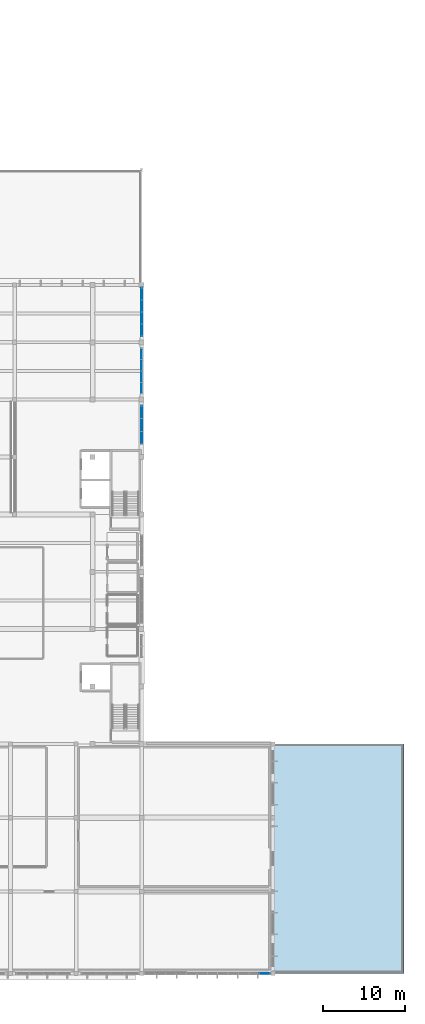
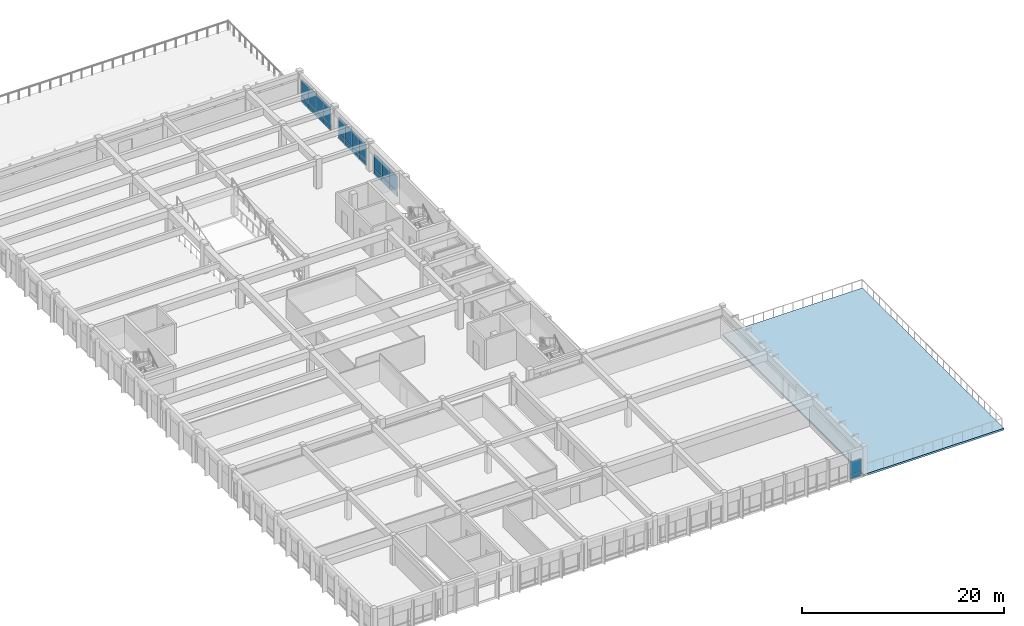
# One storey, part 20 of 33: 24 plates, 1 slab, 4 elements without a shape of their own.
"""IFC4 building model written with IfcOpenShell, lengths in metres."""

from ifc_helpers import new_model, si_unit, direction, frame, origin, origin_2d, place, context, subcontext, project, spatial, polyline, rectangle, outline, extrude, material, layer, layer_set, type_object, element, aggregate, save


model = new_model("IFC4")

# Units and contexts
model_context = context("Model", 3, precision=1e-05, world=origin(), true_north=direction((0.0, 1.0)))
body_context = subcontext(model_context, "Body", "Model", "MODEL_VIEW")
ifc_project = project(units=[si_unit("LENGTHUNIT", "METRE"), si_unit("AREAUNIT", "SQUARE_METRE"), si_unit("VOLUMEUNIT", "CUBIC_METRE"), si_unit("PLANEANGLEUNIT", "RADIAN"), si_unit("MASSUNIT", "GRAM", prefix="KILO")], contexts=[model_context])

# Site, building, storey
site_placement = place(None, origin())
site = spatial("IfcSite", under=ifc_project, at=site_placement, CompositionType="ELEMENT")
building_placement = place(site_placement, origin())
building = spatial("IfcBuilding", under=site, at=building_placement, Name="Larkveld Mobility Hub", CompositionType="ELEMENT")
storey_placement = place(building_placement, frame((0.0, 0.0, 15.60009765625)))
storey = spatial("IfcBuildingStorey", under=building, at=storey_placement, Name="L04", CompositionType="ELEMENT", Elevation=15.60009765625)

# Curtain wall, plates
ifc_material_1 = material(Name="Anodised aluminium 6063-T6", Category="aluminium")
curtain_wall_type_1 = type_object("IfcCurtainWallType", Name="CW-SYS-04", PredefinedType="NOTDEFINED", material=ifc_material_1)
curtain_wall_1_placement = place(storey_placement, origin())
curtain_wall_1 = element("IfcCurtainWall", 1, at=curtain_wall_1_placement, inside=storey, type_object=curtain_wall_type_1, Name="Upper Mobility and Sports East Glazing L04 CW-160", PredefinedType="NOTDEFINED")
ifc_material_2 = material(Name="Low-E laminated solar-control double glazing", Category="glass")
ifc_layer_1 = layer(ifc_material_2, 0.028076171875, Name="Low-E laminated solar-control double glazing", Category="glass")
ifc_layer_set_1 = layer_set([ifc_layer_1], Name="Low-E laminated solar-control double glazing")
plate_type_1 = type_object("IfcPlateType", Name="CW-PNL-GL01", PredefinedType="CURTAIN_PANEL", material=ifc_layer_set_1)
plate_1_placement = place(storey_placement, frame((152.0, 78.489013671875, 0.689453125), z_axis=(0.0, 0.0, 1.0), x_axis=(0.0, 1.0, 0.0)))
plate_1 = element("IfcPlate", 2, at=plate_1_placement, type_object=plate_type_1, Name="CW04 panel 1", PredefinedType="CURTAIN_PANEL", context=body_context, shape_type="SweptSolid", body=[
    extrude(rectangle(XDim=1.447998046875, YDim=0.028076171875, at=origin_2d()), origin(), (0.0, 0.0, 1.0), 2.0390625),
])
plate_2_placement = place(storey_placement, frame((152.0, 79.95703125, 0.689453125), z_axis=(0.0, 0.0, 1.0), x_axis=(0.0, 1.0, 0.0)))
plate_2 = element("IfcPlate", 3, at=plate_2_placement, type_object=plate_type_1, Name="CW04 panel 2", PredefinedType="CURTAIN_PANEL", context=body_context, shape_type="SweptSolid", body=[
    extrude(rectangle(XDim=1.468017578125, YDim=0.028076171875, at=origin_2d()), origin(), (0.0, 0.0, 1.0), 2.0390625),
])
plate_3_placement = place(storey_placement, frame((152.0, 81.43310546875, 0.689453125), z_axis=(0.0, 0.0, 1.0), x_axis=(0.0, 1.0, 0.0)))
plate_3 = element("IfcPlate", 4, at=plate_3_placement, type_object=plate_type_1, Name="CW04 panel 3", PredefinedType="CURTAIN_PANEL", context=body_context, shape_type="SweptSolid", body=[
    extrude(rectangle(XDim=1.468017578125, YDim=0.028076171875, at=origin_2d()), origin(), (0.0, 0.0, 1.0), 2.0390625),
])
plate_4_placement = place(storey_placement, frame((152.0, 82.90087890625, 0.689453125), z_axis=(0.0, 0.0, 1.0), x_axis=(0.0, 1.0, 0.0)))
plate_4 = element("IfcPlate", 5, at=plate_4_placement, type_object=plate_type_1, Name="CW04 panel 4", PredefinedType="CURTAIN_PANEL", context=body_context, shape_type="SweptSolid", body=[
    extrude(rectangle(XDim=1.447998046875, YDim=0.028076171875, at=origin_2d()), origin(), (0.0, 0.0, 1.0), 2.0390625),
])

# Curtain wall, plate
curtain_wall_type_2 = type_object("IfcCurtainWallType", Name="CW-SYS-11", PredefinedType="NOTDEFINED", material=ifc_material_1)
curtain_wall_2_placement = place(storey_placement, origin())
curtain_wall_2 = element("IfcCurtainWall", 6, at=curtain_wall_2_placement, inside=storey, type_object=curtain_wall_type_2, Name="Service Wing South Glazing L04 CW-131", PredefinedType="NOTDEFINED")
ifc_material_3 = material(Name="Acoustic solar-control laminated double glazing", Category="glass")
ifc_layer_2 = layer(ifc_material_3, 0.031982421875, Name="Acoustic solar-control laminated double glazing", Category="glass")
ifc_layer_set_2 = layer_set([ifc_layer_2], Name="Acoustic solar-control laminated double glazing")
plate_type_2 = type_object("IfcPlateType", Name="CW-PNL-GL02", PredefinedType="CURTAIN_PANEL", material=ifc_layer_set_2)
plate_5_placement = place(storey_placement, frame((167.001953125, 0.0, 0.5263671875), z_axis=(0.0, 0.0, 1.0), x_axis=(1.0, 0.0, 0.0)))
plate_5 = element("IfcPlate", 7, at=plate_5_placement, type_object=plate_type_2, Name="CW11 panel 4", PredefinedType="CURTAIN_PANEL", context=body_context, shape_type="SweptSolid", body=[
    extrude(rectangle(XDim=1.2451171875, YDim=0.031982421875, at=origin_2d()), origin(), (0.0, 0.0, 1.0), 1.551025390625),
])

# Curtain wall, plates
curtain_wall_type_3 = type_object("IfcCurtainWallType", Name="CW-SYS-02", PredefinedType="NOTDEFINED", material=ifc_material_1)
curtain_wall_3_placement = place(storey_placement, origin())
curtain_wall_3 = element("IfcCurtainWall", 8, at=curtain_wall_3_placement, inside=storey, type_object=curtain_wall_type_3, Name="Upper Mobility and Sports East Glazing L04 CW-158", PredefinedType="NOTDEFINED")
plate_6_placement = place(storey_placement, frame((152.0, 65.3701171875, 0.614013671875), z_axis=(0.0, 0.0, 1.0), x_axis=(0.0, 1.0, 0.0)))
plate_6 = element("IfcPlate", 9, at=plate_6_placement, type_object=plate_type_2, Name="CW02 panel 1", PredefinedType="CURTAIN_PANEL", context=body_context, shape_type="SweptSolid", body=[
    extrude(rectangle(XDim=1.530029296875, YDim=0.031982421875, at=origin_2d()), origin(), (0.0, 0.0, 1.0), 1.81396484375),
])
plate_7_placement = place(storey_placement, frame((152.0, 66.919921875, 0.614013671875), z_axis=(0.0, 0.0, 1.0), x_axis=(0.0, 1.0, 0.0)))
plate_7 = element("IfcPlate", 10, at=plate_7_placement, type_object=plate_type_2, Name="CW02 panel 2", PredefinedType="CURTAIN_PANEL", context=body_context, shape_type="SweptSolid", body=[
    extrude(rectangle(XDim=1.550048828125, YDim=0.031982421875, at=origin_2d()), origin(), (0.0, 0.0, 1.0), 1.81396484375),
])
plate_8_placement = place(storey_placement, frame((152.0, 68.469970703125, 0.614013671875), z_axis=(0.0, 0.0, 1.0), x_axis=(0.0, 1.0, 0.0)))
plate_8 = element("IfcPlate", 11, at=plate_8_placement, type_object=plate_type_2, Name="CW02 panel 3", PredefinedType="CURTAIN_PANEL", context=body_context, shape_type="SweptSolid", body=[
    extrude(rectangle(XDim=1.530029296875, YDim=0.031982421875, at=origin_2d()), origin(), (0.0, 0.0, 1.0), 1.81396484375),
])

curtain_wall_type_4 = type_object("IfcCurtainWallType", Name="CW-SYS-03", PredefinedType="NOTDEFINED", material=ifc_material_1)
curtain_wall_4_placement = place(storey_placement, origin())
curtain_wall_4 = element("IfcCurtainWall", 12, at=curtain_wall_4_placement, inside=storey, type_object=curtain_wall_type_4, Name="Upper Mobility and Sports East Glazing L04 CW-159", PredefinedType="NOTDEFINED")
ifc_material_4 = material(Name="Tinted safety double glazing", Category="glass")
ifc_layer_3 = layer(ifc_material_4, 0.035888671875, Name="Tinted safety double glazing", Category="glass")
ifc_layer_set_3 = layer_set([ifc_layer_3], Name="Tinted safety double glazing")
plate_type_3 = type_object("IfcPlateType", Name="CW-PNL-GL03", PredefinedType="CURTAIN_PANEL", material=ifc_layer_set_3)
plate_9_placement = place(storey_placement, frame((152.0, 71.43994140625, 0.65185546875), z_axis=(0.0, 0.0, 1.0), x_axis=(0.0, 1.0, 0.0)))
plate_9 = element("IfcPlate", 13, at=plate_9_placement, type_object=plate_type_3, Name="CW03 panel 1", PredefinedType="CURTAIN_PANEL", context=body_context, shape_type="SweptSolid", body=[
    extrude(rectangle(XDim=1.35009765625, YDim=0.035888671875, at=origin_2d()), origin(), (0.0, 0.0, 1.0), 1.926025390625),
])
plate_10_placement = place(storey_placement, frame((152.0, 72.81005859375, 0.65185546875), z_axis=(0.0, 0.0, 1.0), x_axis=(0.0, 1.0, 0.0)))
plate_10 = element("IfcPlate", 14, at=plate_10_placement, type_object=plate_type_3, Name="CW03 panel 2", PredefinedType="CURTAIN_PANEL", context=body_context, shape_type="SweptSolid", body=[
    extrude(rectangle(XDim=1.3701171875, YDim=0.035888671875, at=origin_2d()), origin(), (0.0, 0.0, 1.0), 1.926025390625),
])
plate_11_placement = place(storey_placement, frame((152.0, 74.18994140625, 0.65185546875), z_axis=(0.0, 0.0, 1.0), x_axis=(0.0, 1.0, 0.0)))
plate_11 = element("IfcPlate", 15, at=plate_11_placement, type_object=plate_type_3, Name="CW03 panel 3", PredefinedType="CURTAIN_PANEL", context=body_context, shape_type="SweptSolid", body=[
    extrude(rectangle(XDim=1.3701171875, YDim=0.035888671875, at=origin_2d()), origin(), (0.0, 0.0, 1.0), 1.926025390625),
])
plate_12_placement = place(storey_placement, frame((152.0, 75.56005859375, 0.65185546875), z_axis=(0.0, 0.0, 1.0), x_axis=(0.0, 1.0, 0.0)))
plate_12 = element("IfcPlate", 16, at=plate_12_placement, type_object=plate_type_3, Name="CW03 panel 4", PredefinedType="CURTAIN_PANEL", context=body_context, shape_type="SweptSolid", body=[
    extrude(rectangle(XDim=1.35009765625, YDim=0.035888671875, at=origin_2d()), origin(), (0.0, 0.0, 1.0), 1.926025390625),
])

# Plate
ifc_material_5 = material(Name="Insulated fluoropolymer aluminium spandrel", Category="aluminium")
ifc_layer_4 = layer(ifc_material_5, 0.06494140625, Name="Insulated fluoropolymer aluminium spandrel", Category="aluminium")
ifc_layer_set_4 = layer_set([ifc_layer_4], Name="Insulated fluoropolymer aluminium spandrel")
plate_type_4 = type_object("IfcPlateType", Name="CW-PNL-SP01", PredefinedType="CURTAIN_PANEL", material=ifc_layer_set_4)
plate_13_placement = place(storey_placement, frame((167.001953125, 0.0, -0.00048828125), z_axis=(0.0, 0.0, 1.0), x_axis=(1.0, 0.0, 0.0)))
plate_13 = element("IfcPlate", 17, at=plate_13_placement, type_object=plate_type_4, Name="CW11 spandrel 4", PredefinedType="CURTAIN_PANEL", context=body_context, shape_type="SweptSolid", body=[
    extrude(rectangle(XDim=1.2451171875, YDim=0.06494140625, at=origin_2d()), origin(), (0.0, 0.0, 1.0), 0.514892578125),
])

aggregate(curtain_wall_2, [plate_13, plate_5])

plate_14_placement = place(storey_placement, frame((152.0, 71.43994140625, 0.0), z_axis=(0.0, 0.0, 1.0), x_axis=(0.0, 1.0, 0.0)))
plate_14 = element("IfcPlate", 18, at=plate_14_placement, type_object=plate_type_4, Name="CW03 spandrel 1", PredefinedType="CURTAIN_PANEL", context=body_context, shape_type="SweptSolid", body=[
    extrude(rectangle(XDim=1.35009765625, YDim=0.06494140625, at=origin_2d()), origin(), (0.0, 0.0, 1.0), 0.639892578125),
])

plate_15_placement = place(storey_placement, frame((152.0, 72.81005859375, 0.0), z_axis=(0.0, 0.0, 1.0), x_axis=(0.0, 1.0, 0.0)))
plate_15 = element("IfcPlate", 19, at=plate_15_placement, type_object=plate_type_4, Name="CW03 spandrel 2", PredefinedType="CURTAIN_PANEL", context=body_context, shape_type="SweptSolid", body=[
    extrude(rectangle(XDim=1.3701171875, YDim=0.06494140625, at=origin_2d()), origin(), (0.0, 0.0, 1.0), 0.639892578125),
])

plate_16_placement = place(storey_placement, frame((152.0, 74.18994140625, 0.0), z_axis=(0.0, 0.0, 1.0), x_axis=(0.0, 1.0, 0.0)))
plate_16 = element("IfcPlate", 20, at=plate_16_placement, type_object=plate_type_4, Name="CW03 spandrel 3", PredefinedType="CURTAIN_PANEL", context=body_context, shape_type="SweptSolid", body=[
    extrude(rectangle(XDim=1.3701171875, YDim=0.06494140625, at=origin_2d()), origin(), (0.0, 0.0, 1.0), 0.639892578125),
])

plate_17_placement = place(storey_placement, frame((152.0, 75.56005859375, 0.0), z_axis=(0.0, 0.0, 1.0), x_axis=(0.0, 1.0, 0.0)))
plate_17 = element("IfcPlate", 21, at=plate_17_placement, type_object=plate_type_4, Name="CW03 spandrel 4", PredefinedType="CURTAIN_PANEL", context=body_context, shape_type="SweptSolid", body=[
    extrude(rectangle(XDim=1.35009765625, YDim=0.06494140625, at=origin_2d()), origin(), (0.0, 0.0, 1.0), 0.639892578125),
])

aggregate(curtain_wall_4, [plate_14, plate_9, plate_15, plate_10, plate_16, plate_11, plate_17, plate_12])

ifc_material_6 = material(Name="Insulated terracotta-toned aluminium spandrel", Category="masonry")
ifc_layer_5 = layer(ifc_material_6, 0.080078125, Name="Insulated terracotta-toned aluminium spandrel", Category="masonry")
ifc_layer_set_5 = layer_set([ifc_layer_5], Name="Insulated terracotta-toned aluminium spandrel")
plate_type_5 = type_object("IfcPlateType", Name="CW-PNL-SP02", PredefinedType="CURTAIN_PANEL", material=ifc_layer_set_5)
plate_18_placement = place(storey_placement, frame((152.0, 65.3701171875, -0.000732421875), z_axis=(0.0, 0.0, 1.0), x_axis=(0.0, 1.0, 0.0)))
plate_18 = element("IfcPlate", 22, at=plate_18_placement, type_object=plate_type_5, Name="CW02 spandrel 1", PredefinedType="CURTAIN_PANEL", context=body_context, shape_type="SweptSolid", body=[
    extrude(rectangle(XDim=1.530029296875, YDim=0.080078125, at=origin_2d()), origin(), (0.0, 0.0, 1.0), 0.60302734375),
])

plate_19_placement = place(storey_placement, frame((152.0, 66.919921875, -0.000732421875), z_axis=(0.0, 0.0, 1.0), x_axis=(0.0, 1.0, 0.0)))
plate_19 = element("IfcPlate", 23, at=plate_19_placement, type_object=plate_type_5, Name="CW02 spandrel 2", PredefinedType="CURTAIN_PANEL", context=body_context, shape_type="SweptSolid", body=[
    extrude(rectangle(XDim=1.550048828125, YDim=0.080078125, at=origin_2d()), origin(), (0.0, 0.0, 1.0), 0.60302734375),
])

plate_20_placement = place(storey_placement, frame((152.0, 68.469970703125, -0.000732421875), z_axis=(0.0, 0.0, 1.0), x_axis=(0.0, 1.0, 0.0)))
plate_20 = element("IfcPlate", 24, at=plate_20_placement, type_object=plate_type_5, Name="CW02 spandrel 3", PredefinedType="CURTAIN_PANEL", context=body_context, shape_type="SweptSolid", body=[
    extrude(rectangle(XDim=1.530029296875, YDim=0.080078125, at=origin_2d()), origin(), (0.0, 0.0, 1.0), 0.60302734375),
])

aggregate(curtain_wall_3, [plate_18, plate_6, plate_19, plate_7, plate_20, plate_8])

plate_21_placement = place(storey_placement, frame((152.0, 78.489013671875, 0.00048828125), z_axis=(0.0, 0.0, 1.0), x_axis=(0.0, 1.0, 0.0)))
plate_21 = element("IfcPlate", 25, at=plate_21_placement, type_object=plate_type_5, Name="CW04 spandrel 1", PredefinedType="CURTAIN_PANEL", context=body_context, shape_type="SweptSolid", body=[
    extrude(rectangle(XDim=1.447998046875, YDim=0.080078125, at=origin_2d()), origin(), (0.0, 0.0, 1.0), 0.677001953125),
])

plate_22_placement = place(storey_placement, frame((152.0, 79.95703125, 0.00048828125), z_axis=(0.0, 0.0, 1.0), x_axis=(0.0, 1.0, 0.0)))
plate_22 = element("IfcPlate", 26, at=plate_22_placement, type_object=plate_type_5, Name="CW04 spandrel 2", PredefinedType="CURTAIN_PANEL", context=body_context, shape_type="SweptSolid", body=[
    extrude(rectangle(XDim=1.468017578125, YDim=0.080078125, at=origin_2d()), origin(), (0.0, 0.0, 1.0), 0.677001953125),
])

plate_23_placement = place(storey_placement, frame((152.0, 81.43310546875, 0.00048828125), z_axis=(0.0, 0.0, 1.0), x_axis=(0.0, 1.0, 0.0)))
plate_23 = element("IfcPlate", 27, at=plate_23_placement, type_object=plate_type_5, Name="CW04 spandrel 3", PredefinedType="CURTAIN_PANEL", context=body_context, shape_type="SweptSolid", body=[
    extrude(rectangle(XDim=1.468017578125, YDim=0.080078125, at=origin_2d()), origin(), (0.0, 0.0, 1.0), 0.677001953125),
])

plate_24_placement = place(storey_placement, frame((152.0, 82.90087890625, 0.00048828125), z_axis=(0.0, 0.0, 1.0), x_axis=(0.0, 1.0, 0.0)))
plate_24 = element("IfcPlate", 28, at=plate_24_placement, type_object=plate_type_5, Name="CW04 spandrel 4", PredefinedType="CURTAIN_PANEL", context=body_context, shape_type="SweptSolid", body=[
    extrude(rectangle(XDim=1.447998046875, YDim=0.080078125, at=origin_2d()), origin(), (0.0, 0.0, 1.0), 0.677001953125),
])

aggregate(curtain_wall_1, [plate_21, plate_1, plate_22, plate_2, plate_23, plate_3, plate_24, plate_4])

# Slab
ifc_material_7 = material(Name="Concrete C40/50", Category="concrete")
ifc_layer_6 = layer(ifc_material_7, 0.22509765625, Name="Concrete C40/50", Category="concrete")
ifc_layer_set_6 = layer_set([ifc_layer_6], Name="Concrete C40/50")
slab_type = type_object("IfcSlabType", Name="SL-TER-225", PredefinedType="FLOOR", material=ifc_layer_set_6)
slab_placement = place(storey_placement, frame((0.0, 0.0, -0.22509765625)))
element("IfcSlab", 29, at=slab_placement, inside=storey, type_object=slab_type, Name="Service Centre Terrace Slab L04-129", PredefinedType="FLOOR", context=body_context, shape_type="SweptSolid", body=[
    extrude(outline(polyline([(168.0, 0.0), (184.0, 0.0), (184.0, 28.0), (168.0, 28.0), (168.0, 0.0)])), origin(), (0.0, 0.0, 1.0), 0.22509765625),
])

save(model, "model.ifc")
